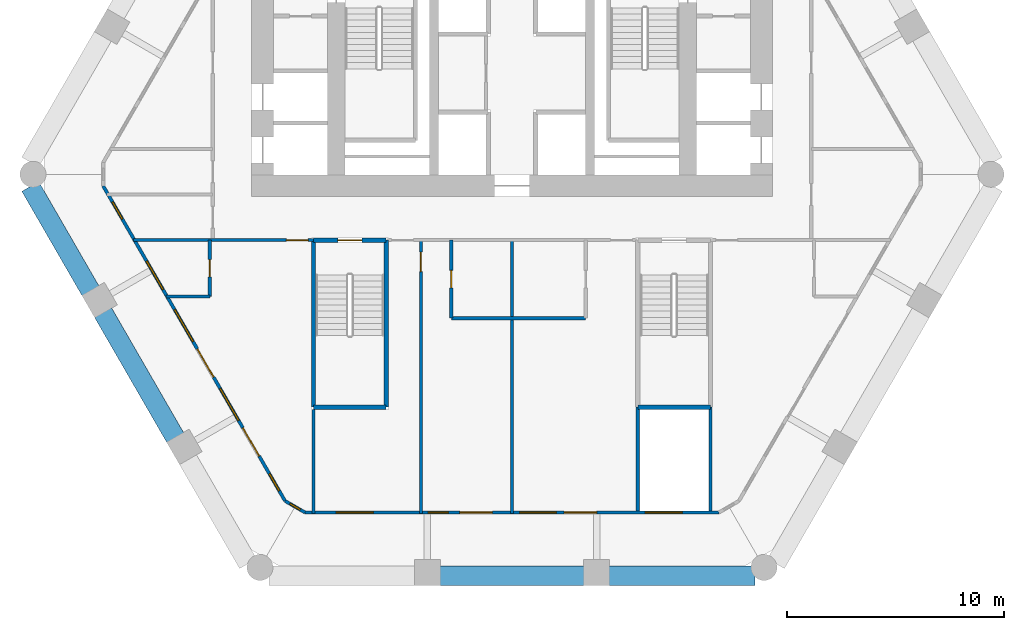
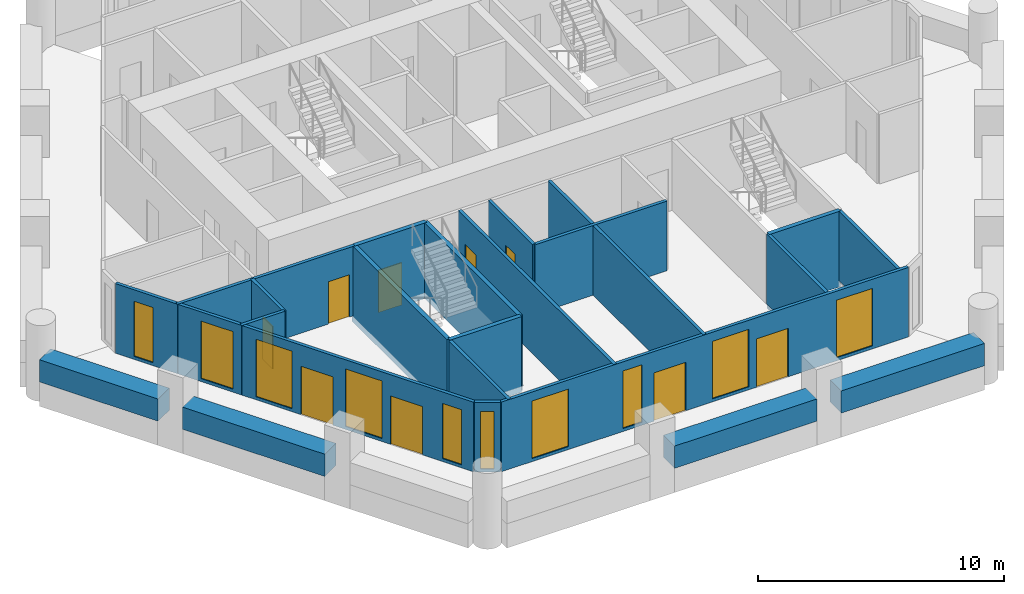
# One storey, part 2 of 7: 22 walls, 10 windows, 9 doors, 19 openings.
"""IFC4 building model written with IfcOpenShell, lengths in metres."""

from ifc_helpers import new_model, si_unit, direction, frame, frame_2d, origin, place, context, subcontext, project, spatial, rectangle, extrude, material, layer, layer_set, type_object, element, fill, save


model = new_model("IFC4")

# Units and contexts
model_context = context("Model", 3, precision=1e-05, world=origin(), true_north=direction((0.0, 1.0)))
body_context = subcontext(model_context, "Body", "Model", "MODEL_VIEW")
ifc_project = project(units=[si_unit("LENGTHUNIT", "METRE"), si_unit("AREAUNIT", "SQUARE_METRE"), si_unit("VOLUMEUNIT", "CUBIC_METRE"), si_unit("PLANEANGLEUNIT", "RADIAN"), si_unit("MASSUNIT", "GRAM", prefix="KILO")], contexts=[model_context])

# Site, building, storey
site_placement = place(None, origin())
site = spatial("IfcSite", under=ifc_project, at=site_placement, CompositionType="ELEMENT")
building_placement = place(site_placement, origin())
building = spatial("IfcBuilding", under=site, at=building_placement, Name="Ostrander Bayou Hotel Tower", CompositionType="ELEMENT")
storey_placement = place(building_placement, frame((0.0, 0.0, 119.75)))
storey = spatial("IfcBuildingStorey", under=building, at=storey_placement, Name="L29", CompositionType="ELEMENT", Elevation=119.75)

# Wall, openings, doors, windows
ifc_material_1 = material(Name="Aluminium framed insulated wall", Category="aluminium")
ifc_layer_1 = layer(ifc_material_1, 0.14990234375)
ifc_layer_set_1 = layer_set([ifc_layer_1], Name="GW1 glass-line wall 150 mm")
wall_type_1 = type_object("IfcWallType", Name="GW1 glass-line wall 150 mm", PredefinedType="SOLIDWALL", material=ifc_layer_set_1)
wall_1_placement = place(storey_placement, frame((-18.8515625, -1.197998046875, 0.0), z_axis=(0.0, 0.0, 1.0), x_axis=(0.499992448691, -0.866029763491, 0.0)))
wall_1 = element("IfcWall", 1, at=wall_1_placement, inside=storey, type_object=wall_type_1, Name="GW1 L29 SW 1", PredefinedType="SOLIDWALL", context=body_context, shape_type="SweptSolid", body=[
    extrude(rectangle(XDim=16.776611328125, YDim=0.14990234375, at=frame_2d((8.38818359375, 0.0))), origin(), (0.0, 0.0, 1.0), 3.449951171875),
])
opening_1_placement = place(wall_1_placement, frame((4.015380859375, 0.0, 0.14990234375)))
opening_1 = element("IfcOpeningElement", 2, at=opening_1_placement, cuts=wall_1, Name="Opening W12", PredefinedType="OPENING", context=body_context, shape_type="SweptSolid", body=[
    extrude(rectangle(XDim=1.5, YDim=2.85009765625, at=frame_2d((0.75, 1.425048828125))), frame((0.0, 0.074951171875, 0.0), z_axis=(0.0, -1.0, 0.0), x_axis=(1.0, 0.0, 0.0)), (0.0, 0.0, 1.0), 0.14990234375),
])
opening_2_placement = place(wall_1_placement, frame((6.58837890625, 0.0, 0.14990234375)))
opening_2 = element("IfcOpeningElement", 3, at=opening_2_placement, cuts=wall_1, Name="Opening W2", PredefinedType="OPENING", context=body_context, shape_type="SweptSolid", body=[
    extrude(rectangle(XDim=1.699951171875, YDim=2.85009765625, at=frame_2d((0.85009765625, 1.425048828125))), frame((0.0, 0.074951171875, 0.0), z_axis=(0.0, -1.0, 0.0), x_axis=(1.0, 0.0, 0.0)), (0.0, 0.0, 1.0), 0.14990234375),
])
opening_3_placement = place(wall_1_placement, frame((8.688232421875, 0.0, 0.0)))
opening_3 = element("IfcOpeningElement", 4, at=opening_3_placement, cuts=wall_1, Name="Opening T28-800", PredefinedType="OPENING", context=body_context, shape_type="SweptSolid", body=[
    extrude(rectangle(XDim=1.5, YDim=2.39990234375, at=frame_2d((0.75, 1.199951171875))), frame((0.0, 0.074951171875, 0.0), z_axis=(0.0, -1.0, 0.0), x_axis=(1.0, 0.0, 0.0)), (0.0, 0.0, 1.0), 0.14990234375),
])
opening_4_placement = place(wall_1_placement, frame((10.788330078125, 0.0, 0.14990234375)))
opening_4 = element("IfcOpeningElement", 5, at=opening_4_placement, cuts=wall_1, Name="Opening W2", PredefinedType="OPENING", context=body_context, shape_type="SweptSolid", body=[
    extrude(rectangle(XDim=1.699951171875, YDim=2.85009765625, at=frame_2d((0.85009765625, 1.425048828125))), frame((0.0, 0.074951171875, 0.0), z_axis=(0.0, -1.0, 0.0), x_axis=(1.0, 0.0, 0.0)), (0.0, 0.0, 1.0), 0.14990234375),
])
opening_5_placement = place(wall_1_placement, frame((12.88818359375, 0.0, 0.0)))
opening_5 = element("IfcOpeningElement", 6, at=opening_5_placement, cuts=wall_1, Name="Opening T28-801", PredefinedType="OPENING", context=body_context, shape_type="SweptSolid", body=[
    extrude(rectangle(XDim=1.5, YDim=2.39990234375, at=frame_2d((0.75, 1.199951171875))), frame((0.0, 0.074951171875, 0.0), z_axis=(0.0, -1.0, 0.0), x_axis=(1.0, 0.0, 0.0)), (0.0, 0.0, 1.0), 0.14990234375),
])
opening_6_placement = place(wall_1_placement, frame((0.863037109375, 0.0, 0.14990234375)))
opening_6 = element("IfcOpeningElement", 7, at=opening_6_placement, cuts=wall_1, Name="Opening W16", PredefinedType="OPENING", context=body_context, shape_type="SweptSolid", body=[
    extrude(rectangle(XDim=0.89990234375, YDim=2.72998046875, at=frame_2d((0.449951171875, 1.364990234375))), frame((0.0, 0.074951171875, 0.0), z_axis=(0.0, -1.0, 0.0), x_axis=(1.0, 0.0, 0.0)), (0.0, 0.0, 1.0), 0.14990234375),
])
opening_7_placement = place(wall_1_placement, frame((15.33251953125, 0.0, 0.14990234375)))
opening_7 = element("IfcOpeningElement", 8, at=opening_7_placement, cuts=wall_1, Name="Opening W16", PredefinedType="OPENING", context=body_context, shape_type="SweptSolid", body=[
    extrude(rectangle(XDim=0.89990234375, YDim=2.72998046875, at=frame_2d((0.449951171875, 1.364990234375))), frame((0.0, 0.074951171875, 0.0), z_axis=(0.0, -1.0, 0.0), x_axis=(1.0, 0.0, 0.0)), (0.0, 0.0, 1.0), 0.14990234375),
])
ifc_material_2 = material(Name="Aluminium and clear glass", Category="aluminium")
door_type_1 = type_object("IfcDoorType", Name="SD2 sliding glass door 1500 mm, zone 2", OperationType="SLIDING_TO_LEFT", PredefinedType="DOOR", material=ifc_material_2)
door_1_placement = place(opening_3_placement, origin())
door_1 = element("IfcDoor", 9, at=door_1_placement, inside=storey, type_object=door_type_1, Name="SD2 L29 SW 2", OperationType="SLIDING_TO_RIGHT", OverallHeight=2.39990234375, OverallWidth=1.5, PredefinedType="DOOR", context=body_context, shape_type="SweptSolid", body=[
    extrude(rectangle(XDim=1.5, YDim=2.39990234375, at=frame_2d((0.75, 1.199951171875))), frame((0.0, 0.02490234375, 0.0), z_axis=(0.0, -1.0, 0.0), x_axis=(1.0, 0.0, 0.0)), (0.0, 0.0, 1.0), 0.050048828125),
])
fill(opening_3, door_1)
door_2_placement = place(opening_5_placement, origin())
door_2 = element("IfcDoor", 10, at=door_2_placement, inside=storey, type_object=door_type_1, Name="SD2 L29 SW 3", OperationType="SLIDING_TO_LEFT", OverallHeight=2.39990234375, OverallWidth=1.5, PredefinedType="DOOR", context=body_context, shape_type="SweptSolid", body=[
    extrude(rectangle(XDim=1.5, YDim=2.39990234375, at=frame_2d((0.75, 1.199951171875))), frame((0.0, 0.02490234375, 0.0), z_axis=(0.0, -1.0, 0.0), x_axis=(1.0, 0.0, 0.0)), (0.0, 0.0, 1.0), 0.050048828125),
])
fill(opening_5, door_2)
ifc_material_3 = material(Name="Aluminium and clear glass", Category="aluminium")
window_type_1 = type_object("IfcWindowType", Name="W12 fixed window 1500 mm, bath bay, zone 2", PartitioningType="SINGLE_PANEL", PredefinedType="WINDOW", material=ifc_material_3)
window_1_placement = place(opening_1_placement, origin())
window_1 = element("IfcWindow", 11, at=window_1_placement, inside=storey, type_object=window_type_1, Name="W12 L29 SW 1", OverallHeight=2.85009765625, OverallWidth=1.5, PartitioningType="SINGLE_PANEL", PredefinedType="WINDOW", context=body_context, shape_type="SweptSolid", body=[
    extrude(rectangle(XDim=1.5, YDim=2.85009765625, at=frame_2d((0.75, 1.425048828125))), frame((0.0, 0.030029296875, 0.0), z_axis=(0.0, -1.0, 0.0), x_axis=(1.0, 0.0, 0.0)), (0.0, 0.0, 1.0), 0.06005859375),
])
fill(opening_1, window_1)
ifc_material_4 = material(Name="Aluminium and clear glass", Category="aluminium")
window_type_2 = type_object("IfcWindowType", Name="W16 window 900 mm, zone 2", PartitioningType="SINGLE_PANEL", PredefinedType="WINDOW", material=ifc_material_4)
window_2_placement = place(opening_6_placement, origin())
window_2 = element("IfcWindow", 12, at=window_2_placement, inside=storey, type_object=window_type_2, Name="W16 L29 SW E11", OverallHeight=2.72998046875, OverallWidth=0.89990234375, PartitioningType="SINGLE_PANEL", PredefinedType="WINDOW", context=body_context, shape_type="SweptSolid", body=[
    extrude(rectangle(XDim=0.89990234375, YDim=2.72998046875, at=frame_2d((0.449951171875, 1.364990234375))), frame((0.0, 0.030029296875, 0.0), z_axis=(0.0, -1.0, 0.0), x_axis=(1.0, 0.0, 0.0)), (0.0, 0.0, 1.0), 0.06005859375),
])
fill(opening_6, window_2)
window_3_placement = place(opening_7_placement, origin())
window_3 = element("IfcWindow", 13, at=window_3_placement, inside=storey, type_object=window_type_2, Name="W16 L29 SW E21", OverallHeight=2.72998046875, OverallWidth=0.89990234375, PartitioningType="SINGLE_PANEL", PredefinedType="WINDOW", context=body_context, shape_type="SweptSolid", body=[
    extrude(rectangle(XDim=0.89990234375, YDim=2.72998046875, at=frame_2d((0.449951171875, 1.364990234375))), frame((0.0, 0.030029296875, 0.0), z_axis=(0.0, -1.0, 0.0), x_axis=(1.0, 0.0, 0.0)), (0.0, 0.0, 1.0), 0.06005859375),
])
fill(opening_7, window_3)
ifc_material_5 = material(Name="Aluminium and clear glass", Category="aluminium")
window_type_3 = type_object("IfcWindowType", Name="W2 fixed window 1700 mm, zone 2", PartitioningType="SINGLE_PANEL", PredefinedType="WINDOW", material=ifc_material_5)
window_4_placement = place(opening_2_placement, origin())
window_4 = element("IfcWindow", 14, at=window_4_placement, inside=storey, type_object=window_type_3, Name="W2 L29 SW 2", OverallHeight=2.85009765625, OverallWidth=1.699951171875, PartitioningType="SINGLE_PANEL", PredefinedType="WINDOW", context=body_context, shape_type="SweptSolid", body=[
    extrude(rectangle(XDim=1.699951171875, YDim=2.85009765625, at=frame_2d((0.85009765625, 1.425048828125))), frame((0.0, 0.030029296875, 0.0), z_axis=(0.0, -1.0, 0.0), x_axis=(1.0, 0.0, 0.0)), (0.0, 0.0, 1.0), 0.06005859375),
])
fill(opening_2, window_4)
window_5_placement = place(opening_4_placement, origin())
window_5 = element("IfcWindow", 15, at=window_5_placement, inside=storey, type_object=window_type_3, Name="W2 L29 SW 3", OverallHeight=2.85009765625, OverallWidth=1.699951171875, PartitioningType="SINGLE_PANEL", PredefinedType="WINDOW", context=body_context, shape_type="SweptSolid", body=[
    extrude(rectangle(XDim=1.699951171875, YDim=2.85009765625, at=frame_2d((0.85009765625, 1.425048828125))), frame((0.0, 0.030029296875, 0.0), z_axis=(0.0, -1.0, 0.0), x_axis=(1.0, 0.0, 0.0)), (0.0, 0.0, 1.0), 0.06005859375),
])
fill(opening_4, window_5)

wall_2_placement = place(storey_placement, frame((-9.541015625, -16.259521484375, 0.0), z_axis=(0.0, 0.0, 1.0), x_axis=(1.0, 0.0, 0.0)))
wall_2 = element("IfcWall", 16, at=wall_2_placement, inside=storey, type_object=wall_type_1, Name="GW1 L29 S 1", PredefinedType="SOLIDWALL", context=body_context, shape_type="SweptSolid", body=[
    extrude(rectangle(XDim=19.08203125, YDim=0.14990234375, at=frame_2d((9.541015625, 0.0))), origin(), (0.0, 0.0, 1.0), 3.449951171875),
])
opening_8_placement = place(wall_2_placement, frame((1.44091796875, 0.0, 0.14990234375)))
opening_8 = element("IfcOpeningElement", 17, at=opening_8_placement, cuts=wall_2, Name="Opening W2", PredefinedType="OPENING", context=body_context, shape_type="SweptSolid", body=[
    extrude(rectangle(XDim=1.699951171875, YDim=2.85009765625, at=frame_2d((0.85009765625, 1.425048828125))), frame((0.0, 0.074951171875, 0.0), z_axis=(0.0, -1.0, 0.0), x_axis=(1.0, 0.0, 0.0)), (0.0, 0.0, 1.0), 0.14990234375),
])
opening_9_placement = place(wall_2_placement, frame((5.69091796875, 0.0, 0.14990234375)))
opening_9 = element("IfcOpeningElement", 18, at=opening_9_placement, cuts=wall_2, Name="Opening W16", PredefinedType="OPENING", context=body_context, shape_type="SweptSolid", body=[
    extrude(rectangle(XDim=0.89990234375, YDim=2.85009765625, at=frame_2d((0.449951171875, 1.425048828125))), frame((0.0, 0.074951171875, 0.0), z_axis=(0.0, -1.0, 0.0), x_axis=(1.0, 0.0, 0.0)), (0.0, 0.0, 1.0), 0.14990234375),
])
opening_10_placement = place(wall_2_placement, frame((7.14111328125, 0.0, 0.0)))
opening_10 = element("IfcOpeningElement", 19, at=opening_10_placement, cuts=wall_2, Name="Opening T28-802", PredefinedType="OPENING", context=body_context, shape_type="SweptSolid", body=[
    extrude(rectangle(XDim=1.5, YDim=2.39990234375, at=frame_2d((0.75, 1.199951171875))), frame((0.0, 0.074951171875, 0.0), z_axis=(0.0, -1.0, 0.0), x_axis=(1.0, 0.0, 0.0)), (0.0, 0.0, 1.0), 0.14990234375),
])
opening_11_placement = place(wall_2_placement, frame((9.89111328125, 0.0, 0.14990234375)))
opening_11 = element("IfcOpeningElement", 20, at=opening_11_placement, cuts=wall_2, Name="Opening W2", PredefinedType="OPENING", context=body_context, shape_type="SweptSolid", body=[
    extrude(rectangle(XDim=1.699951171875, YDim=2.85009765625, at=frame_2d((0.85009765625, 1.425048828125))), frame((0.0, 0.074951171875, 0.0), z_axis=(0.0, -1.0, 0.0), x_axis=(1.0, 0.0, 0.0)), (0.0, 0.0, 1.0), 0.14990234375),
])
opening_12_placement = place(wall_2_placement, frame((11.94091796875, 0.0, 0.0)))
opening_12 = element("IfcOpeningElement", 21, at=opening_12_placement, cuts=wall_2, Name="Opening T28-803", PredefinedType="OPENING", context=body_context, shape_type="SweptSolid", body=[
    extrude(rectangle(XDim=1.5, YDim=2.39990234375, at=frame_2d((0.75, 1.199951171875))), frame((0.0, 0.074951171875, 0.0), z_axis=(0.0, -1.0, 0.0), x_axis=(1.0, 0.0, 0.0)), (0.0, 0.0, 1.0), 0.14990234375),
])
opening_13_placement = place(wall_2_placement, frame((15.69091796875, 0.0, 0.14990234375)))
opening_13 = element("IfcOpeningElement", 22, at=opening_13_placement, cuts=wall_2, Name="Opening W2", PredefinedType="OPENING", context=body_context, shape_type="SweptSolid", body=[
    extrude(rectangle(XDim=1.699951171875, YDim=2.85009765625, at=frame_2d((0.85009765625, 1.425048828125))), frame((0.0, 0.074951171875, 0.0), z_axis=(0.0, -1.0, 0.0), x_axis=(1.0, 0.0, 0.0)), (0.0, 0.0, 1.0), 0.14990234375),
])
door_3_placement = place(opening_10_placement, origin())
door_3 = element("IfcDoor", 23, at=door_3_placement, inside=storey, type_object=door_type_1, Name="SD2 L29 S 2", OperationType="SLIDING_TO_RIGHT", OverallHeight=2.39990234375, OverallWidth=1.5, PredefinedType="DOOR", context=body_context, shape_type="SweptSolid", body=[
    extrude(rectangle(XDim=1.5, YDim=2.39990234375, at=frame_2d((0.75, 1.199951171875))), frame((0.0, 0.02490234375, 0.0), z_axis=(0.0, -1.0, 0.0), x_axis=(1.0, 0.0, 0.0)), (0.0, 0.0, 1.0), 0.050048828125),
])
fill(opening_10, door_3)
door_4_placement = place(opening_12_placement, origin())
door_4 = element("IfcDoor", 24, at=door_4_placement, inside=storey, type_object=door_type_1, Name="SD2 L29 S 3", OperationType="SLIDING_TO_LEFT", OverallHeight=2.39990234375, OverallWidth=1.5, PredefinedType="DOOR", context=body_context, shape_type="SweptSolid", body=[
    extrude(rectangle(XDim=1.5, YDim=2.39990234375, at=frame_2d((0.75, 1.199951171875))), frame((0.0, 0.02490234375, 0.0), z_axis=(0.0, -1.0, 0.0), x_axis=(1.0, 0.0, 0.0)), (0.0, 0.0, 1.0), 0.050048828125),
])
fill(opening_12, door_4)
window_6_placement = place(opening_9_placement, origin())
window_6 = element("IfcWindow", 25, at=window_6_placement, inside=storey, type_object=window_type_2, Name="W16 L29 S 2", OverallHeight=2.85009765625, OverallWidth=0.89990234375, PartitioningType="SINGLE_PANEL", PredefinedType="WINDOW", context=body_context, shape_type="SweptSolid", body=[
    extrude(rectangle(XDim=0.89990234375, YDim=2.85009765625, at=frame_2d((0.449951171875, 1.425048828125))), frame((0.0, 0.030029296875, 0.0), z_axis=(0.0, -1.0, 0.0), x_axis=(1.0, 0.0, 0.0)), (0.0, 0.0, 1.0), 0.06005859375),
])
fill(opening_9, window_6)
window_7_placement = place(opening_8_placement, origin())
window_7 = element("IfcWindow", 26, at=window_7_placement, inside=storey, type_object=window_type_3, Name="W2 L29 S 1", OverallHeight=2.85009765625, OverallWidth=1.699951171875, PartitioningType="SINGLE_PANEL", PredefinedType="WINDOW", context=body_context, shape_type="SweptSolid", body=[
    extrude(rectangle(XDim=1.699951171875, YDim=2.85009765625, at=frame_2d((0.85009765625, 1.425048828125))), frame((0.0, 0.030029296875, 0.0), z_axis=(0.0, -1.0, 0.0), x_axis=(1.0, 0.0, 0.0)), (0.0, 0.0, 1.0), 0.06005859375),
])
fill(opening_8, window_7)
window_8_placement = place(opening_11_placement, origin())
window_8 = element("IfcWindow", 27, at=window_8_placement, inside=storey, type_object=window_type_3, Name="W2 L29 S 3", OverallHeight=2.85009765625, OverallWidth=1.699951171875, PartitioningType="SINGLE_PANEL", PredefinedType="WINDOW", context=body_context, shape_type="SweptSolid", body=[
    extrude(rectangle(XDim=1.699951171875, YDim=2.85009765625, at=frame_2d((0.85009765625, 1.425048828125))), frame((0.0, 0.030029296875, 0.0), z_axis=(0.0, -1.0, 0.0), x_axis=(1.0, 0.0, 0.0)), (0.0, 0.0, 1.0), 0.06005859375),
])
fill(opening_11, window_8)
window_9_placement = place(opening_13_placement, origin())
window_9 = element("IfcWindow", 28, at=window_9_placement, inside=storey, type_object=window_type_3, Name="W2 L29 S 4", OverallHeight=2.85009765625, OverallWidth=1.699951171875, PartitioningType="SINGLE_PANEL", PredefinedType="WINDOW", context=body_context, shape_type="SweptSolid", body=[
    extrude(rectangle(XDim=1.699951171875, YDim=2.85009765625, at=frame_2d((0.85009765625, 1.425048828125))), frame((0.0, 0.030029296875, 0.0), z_axis=(0.0, -1.0, 0.0), x_axis=(1.0, 0.0, 0.0)), (0.0, 0.0, 1.0), 0.06005859375),
])
fill(opening_13, window_9)

# Wall, opening, window
wall_3_placement = place(storey_placement, frame((-10.46337890625, -15.72705078125, 0.0), z_axis=(0.0, 0.0, 1.0), x_axis=(0.866048165231, -0.499960573946, 0.0)))
wall_3 = element("IfcWall", 29, at=wall_3_placement, inside=storey, type_object=wall_type_1, Name="GW1 L29 corner 3", PredefinedType="SOLIDWALL", context=body_context, shape_type="SweptSolid", body=[
    extrude(rectangle(XDim=1.06494140625, YDim=0.14990234375, at=frame_2d((0.532470703125, 0.0))), origin(), (0.0, 0.0, 1.0), 3.449951171875),
])
opening_14_placement = place(wall_3_placement, frame((0.257568359375, 0.0, 0.14990234375)))
opening_14 = element("IfcOpeningElement", 30, at=opening_14_placement, cuts=wall_3, Name="Opening W19", PredefinedType="OPENING", context=body_context, shape_type="SweptSolid", body=[
    extrude(rectangle(XDim=0.550048828125, YDim=2.85009765625, at=frame_2d((0.27490234375, 1.425048828125))), frame((0.0, 0.074951171875, 0.0), z_axis=(0.0, -1.0, 0.0), x_axis=(1.0, 0.0, 0.0)), (0.0, 0.0, 1.0), 0.14990234375),
])
ifc_material_6 = material(Name="Aluminium and clear glass", Category="aluminium")
window_type_4 = type_object("IfcWindowType", Name="W19 corner window 550 mm", PartitioningType="SINGLE_PANEL", PredefinedType="WINDOW", material=ifc_material_6)
window_10_placement = place(opening_14_placement, origin())
window_10 = element("IfcWindow", 31, at=window_10_placement, inside=storey, type_object=window_type_4, Name="W19 L29 corner 3", OverallHeight=2.85009765625, OverallWidth=0.550048828125, PartitioningType="SINGLE_PANEL", PredefinedType="WINDOW", context=body_context, shape_type="SweptSolid", body=[
    extrude(rectangle(XDim=0.550048828125, YDim=2.85009765625, at=frame_2d((0.27490234375, 1.425048828125))), frame((0.0, 0.030029296875, 0.0), z_axis=(0.0, -1.0, 0.0), x_axis=(1.0, 0.0, 0.0)), (0.0, 0.0, 1.0), 0.06005859375),
])
fill(opening_14, window_10)

# Walls
ifc_material_7 = material(Name="Concrete f'c 40 MPa", Category="concrete")
ifc_layer_2 = layer(ifc_material_7, 0.89990234375)
ifc_layer_set_2 = layer_set([ifc_layer_2], Name="PA1 stone-faced parapet 900 mm")
wall_type_2 = type_object("IfcWallType", Name="PA1 stone-faced parapet 900 mm", PredefinedType="PARAPET", material=ifc_layer_set_2)
wall_4_placement = place(storey_placement, frame((-3.336669921875, -19.1845703125, 0.0), z_axis=(0.0, 0.0, 1.0), x_axis=(1.0, 0.0, 0.0)))
element("IfcWall", 32, at=wall_4_placement, inside=storey, type_object=wall_type_2, Name="PA1 L29 S-2", PredefinedType="PARAPET", context=body_context, shape_type="SweptSolid", body=[
    extrude(rectangle(XDim=6.67333984375, YDim=0.89990234375, at=frame_2d((3.336669921875, 0.0))), origin(), (0.0, 0.0, 1.0), 1.10009765625),
])
wall_5_placement = place(storey_placement, frame((4.476806640625, -19.1845703125, 0.0), z_axis=(0.0, 0.0, 1.0), x_axis=(1.0, 0.0, 0.0)))
element("IfcWall", 33, at=wall_5_placement, inside=storey, type_object=wall_type_2, Name="PA1 L29 S-3", PredefinedType="PARAPET", context=body_context, shape_type="SweptSolid", body=[
    extrude(rectangle(XDim=6.717041015625, YDim=0.89990234375, at=frame_2d((3.3583984375, 0.0))), origin(), (0.0, 0.0, 1.0), 1.10009765625),
])
ifc_material_8 = material(Name="Limestone masonry", Category="masonry")
ifc_layer_3 = layer(ifc_material_8, 0.89990234375)
ifc_layer_set_3 = layer_set([ifc_layer_3], Name="PA2 limestone parapet 900 mm")
wall_type_3 = type_object("IfcWallType", Name="PA2 limestone parapet 900 mm", PredefinedType="PARAPET", material=ifc_layer_set_3)
wall_6_placement = place(storey_placement, frame((-22.211181640625, -1.22900390625, 0.0), z_axis=(0.0, 0.0, 1.0), x_axis=(0.49998957009, -0.866031425412, 0.0)))
element("IfcWall", 34, at=wall_6_placement, inside=storey, type_object=wall_type_3, Name="PA2 L29 SW-1", PredefinedType="PARAPET", context=body_context, shape_type="SweptSolid", body=[
    extrude(rectangle(XDim=5.564453125, YDim=0.89990234375, at=frame_2d((2.7822265625, 0.0))), origin(), (0.0, 0.0, 1.0), 1.10009765625),
])
wall_7_placement = place(storey_placement, frame((-18.85888671875, -7.035400390625, 0.0), z_axis=(0.0, 0.0, 1.0), x_axis=(0.499999023957, -0.866025967302, 0.0)))
element("IfcWall", 35, at=wall_7_placement, inside=storey, type_object=wall_type_3, Name="PA2 L29 SW-2", PredefinedType="PARAPET", context=body_context, shape_type="SweptSolid", body=[
    extrude(rectangle(XDim=6.67333984375, YDim=0.89990234375, at=frame_2d((3.336669921875, 0.0))), origin(), (0.0, 0.0, 1.0), 1.10009765625),
])
ifc_material_9 = material(Name="Gypsum board partition", Category="finish")
ifc_layer_4 = layer(ifc_material_9, 0.14990234375)
ifc_layer_set_4 = layer_set([ifc_layer_4], Name="PT7 riser wall 150 mm, 2 hour")
wall_type_4 = type_object("IfcWallType", Name="PT7 riser wall 150 mm, 2 hour", PredefinedType="PARTITIONING", material=ifc_layer_set_4)
for number, where, z_axis, x_axis, name in (
    (36, (5.800048828125, -11.39990234375, 0.0), (0.0, 0.0, 1.0), (0.0, -1.0, 0.0), "cs:L29:019"),
    (37, (9.14990234375, -11.39990234375, 0.0), (0.0, 0.0, 1.0), (0.0, -1.0, 0.0), "cs:L29:020"),
):
    element("IfcWall", number, at=place(storey_placement, frame(where, z_axis=z_axis, x_axis=x_axis)), inside=storey, type_object=wall_type_4, Name=name, PredefinedType="PARTITIONING", context=body_context, shape_type="SweptSolid", body=[
        extrude(rectangle(XDim=4.78466796875, YDim=0.14990234375, at=frame_2d((2.392333984375, 0.0))), origin(), (0.0, 0.0, 1.0), 3.449951171875),
    ])
ifc_material_10 = material(Name="Gypsum board partition", Category="finish")
ifc_layer_5 = layer(ifc_material_10, 0.14990234375)
ifc_layer_set_5 = layer_set([ifc_layer_5], Name="PT8 service band wall 150 mm, 1 hour")
wall_type_5 = type_object("IfcWallType", Name="PT8 service band wall 150 mm, 1 hour", PredefinedType="PARTITIONING", material=ifc_layer_set_5)
wall_8_placement = place(storey_placement, frame((-2.800048828125, -7.300048828125, 0.0), z_axis=(0.0, 0.0, 1.0), x_axis=(1.0, 0.0, 0.0)))
element("IfcWall", 38, at=wall_8_placement, inside=storey, type_object=wall_type_5, Name="gw:L29:001", PredefinedType="PARTITIONING", context=body_context, shape_type="SweptSolid", body=[
    extrude(rectangle(XDim=6.199951171875, YDim=0.14990234375, at=frame_2d((3.10009765625, 0.0))), origin(), (0.0, 0.0, 1.0), 3.449951171875),
])
wall_9_placement = place(storey_placement, frame((-15.9580078125, -6.300048828125, 0.0), z_axis=(0.0, 0.0, 1.0), x_axis=(1.0, 0.0, 0.0)))
element("IfcWall", 39, at=wall_9_placement, inside=storey, type_object=wall_type_5, Name="gw:L29:002", PredefinedType="PARTITIONING", context=body_context, shape_type="SweptSolid", body=[
    extrude(rectangle(XDim=2.028076171875, YDim=0.14990234375, at=frame_2d((1.01416015625, 0.0))), origin(), (0.0, 0.0, 1.0), 3.449951171875),
])

# Wall, opening, door
wall_10_placement = place(storey_placement, frame((-17.458984375, -3.699951171875, 0.0), z_axis=(0.0, 0.0, 1.0), x_axis=(1.0, 0.0, 0.0)))
wall_10 = element("IfcWall", 40, at=wall_10_placement, inside=storey, type_object=wall_type_5, Name="gw:L29:004", PredefinedType="PARTITIONING", context=body_context, shape_type="SweptSolid", body=[
    extrude(rectangle(XDim=8.299072265625, YDim=0.14990234375, at=frame_2d((4.1494140625, 0.0))), origin(), (0.0, 0.0, 1.0), 3.449951171875),
])
opening_15_placement = place(wall_10_placement, frame((7.05908203125, 0.0, 0.0)))
opening_15 = element("IfcOpeningElement", 41, at=opening_15_placement, cuts=wall_10, Name="Opening T28-403", PredefinedType="OPENING", context=body_context, shape_type="SweptSolid", body=[
    extrude(rectangle(XDim=1.0, YDim=2.10009765625, at=frame_2d((0.5, 1.050048828125))), frame((0.0, 0.074951171875, 0.0), z_axis=(0.0, -1.0, 0.0), x_axis=(1.0, 0.0, 0.0)), (0.0, 0.0, 1.0), 0.14990234375),
])
ifc_material_11 = material(Name="Timber door leaf", Category="wood")
door_type_2 = type_object("IfcDoorType", Name="D1 guest room door 1000 x 2100 mm, 30 minute", OperationType="SINGLE_SWING_LEFT", PredefinedType="DOOR", material=ifc_material_11)
door_5_placement = place(opening_15_placement, origin())
door_5 = element("IfcDoor", 42, at=door_5_placement, inside=storey, type_object=door_type_2, Name="dr:L29:403", OperationType="SINGLE_SWING_RIGHT", OverallHeight=2.10009765625, OverallWidth=1.0, PredefinedType="DOOR", context=body_context, shape_type="SweptSolid", body=[
    extrude(rectangle(XDim=1.0, YDim=2.10009765625, at=frame_2d((0.5, 1.050048828125))), frame((0.0, 0.02490234375, 0.0), z_axis=(0.0, -1.0, 0.0), x_axis=(1.0, 0.0, 0.0)), (0.0, 0.0, 1.0), 0.050048828125),
])
fill(opening_15, door_5)

# Wall
wall_11_placement = place(storey_placement, frame((0.0, -16.303955078125, 0.0), z_axis=(0.0, 0.0, 1.0), x_axis=(0.0, 1.0, 0.0)))
element("IfcWall", 43, at=wall_11_placement, inside=storey, type_object=wall_type_5, Name="gw:L29:023", PredefinedType="PARTITIONING", context=body_context, shape_type="SweptSolid", body=[
    extrude(rectangle(XDim=12.60400390625, YDim=0.14990234375, at=frame_2d((6.302001953125, 0.0))), origin(), (0.0, 0.0, 1.0), 3.449951171875),
])

# Wall, opening, door
wall_12_placement = place(storey_placement, frame((-2.800048828125, -7.300048828125, 0.0), z_axis=(0.0, 0.0, 1.0), x_axis=(0.0, 1.0, 0.0)))
wall_12 = element("IfcWall", 44, at=wall_12_placement, inside=storey, type_object=wall_type_5, Name="gw:L29:024", PredefinedType="PARTITIONING", context=body_context, shape_type="SweptSolid", body=[
    extrude(rectangle(XDim=3.60009765625, YDim=0.14990234375, at=frame_2d((1.800048828125, 0.0))), origin(), (0.0, 0.0, 1.0), 3.449951171875),
])
opening_16_placement = place(wall_12_placement, frame((1.39990234375, 0.0, 0.0)))
opening_16 = element("IfcOpeningElement", 45, at=opening_16_placement, cuts=wall_12, Name="Opening T28-402", PredefinedType="OPENING", context=body_context, shape_type="SweptSolid", body=[
    extrude(rectangle(XDim=0.800048828125, YDim=2.10009765625, at=frame_2d((0.39990234375, 1.050048828125))), frame((0.0, 0.074951171875, 0.0), z_axis=(0.0, -1.0, 0.0), x_axis=(1.0, 0.0, 0.0)), (0.0, 0.0, 1.0), 0.14990234375),
])
ifc_material_12 = material(Name="Timber door leaf", Category="wood")
door_type_3 = type_object("IfcDoorType", Name="D2 bathroom door 800 x 2100 mm", OperationType="SINGLE_SWING_LEFT", PredefinedType="DOOR", material=ifc_material_12)
door_6_placement = place(opening_16_placement, origin())
door_6 = element("IfcDoor", 46, at=door_6_placement, inside=storey, type_object=door_type_3, Name="dr:L29:402", OperationType="SINGLE_SWING_RIGHT", OverallHeight=2.10009765625, OverallWidth=0.800048828125, PredefinedType="DOOR", context=body_context, shape_type="SweptSolid", body=[
    extrude(rectangle(XDim=0.800048828125, YDim=2.10009765625, at=frame_2d((0.39990234375, 1.050048828125))), frame((0.0, 0.02490234375, 0.0), z_axis=(0.0, -1.0, 0.0), x_axis=(1.0, 0.0, 0.0)), (0.0, 0.0, 1.0), 0.050048828125),
])
fill(opening_16, door_6)

wall_13_placement = place(storey_placement, frame((-4.199951171875, -16.303955078125, 0.0), z_axis=(0.0, 0.0, 1.0), x_axis=(0.0, 1.0, 0.0)))
wall_13 = element("IfcWall", 47, at=wall_13_placement, inside=storey, type_object=wall_type_5, Name="gw:L29:026", PredefinedType="PARTITIONING", context=body_context, shape_type="SweptSolid", body=[
    extrude(rectangle(XDim=12.60400390625, YDim=0.14990234375, at=frame_2d((6.302001953125, 0.0))), origin(), (0.0, 0.0, 1.0), 3.449951171875),
])
opening_17_placement = place(wall_13_placement, frame((11.154052734375, 0.0, 0.0)))
opening_17 = element("IfcOpeningElement", 48, at=opening_17_placement, cuts=wall_13, Name="Opening T28-401", PredefinedType="OPENING", context=body_context, shape_type="SweptSolid", body=[
    extrude(rectangle(XDim=0.89990234375, YDim=2.10009765625, at=frame_2d((0.449951171875, 1.050048828125))), frame((0.0, 0.074951171875, 0.0), z_axis=(0.0, -1.0, 0.0), x_axis=(1.0, 0.0, 0.0)), (0.0, 0.0, 1.0), 0.14990234375),
])
ifc_material_13 = material(Name="Timber door leaf", Category="wood")
door_type_4 = type_object("IfcDoorType", Name="D8 room door 900 x 2100 mm", OperationType="SINGLE_SWING_LEFT", PredefinedType="DOOR", material=ifc_material_13)
door_7_placement = place(opening_17_placement, origin())
door_7 = element("IfcDoor", 49, at=door_7_placement, inside=storey, type_object=door_type_4, Name="dr:L29:401", OperationType="SINGLE_SWING_RIGHT", OverallHeight=2.10009765625, OverallWidth=0.89990234375, PredefinedType="DOOR", context=body_context, shape_type="SweptSolid", body=[
    extrude(rectangle(XDim=0.89990234375, YDim=2.10009765625, at=frame_2d((0.449951171875, 1.050048828125))), frame((0.0, 0.02490234375, 0.0), z_axis=(0.0, -1.0, 0.0), x_axis=(1.0, 0.0, 0.0)), (0.0, 0.0, 1.0), 0.050048828125),
])
fill(opening_17, door_7)

# Wall
wall_14_placement = place(storey_placement, frame((-9.14990234375, -16.303955078125, 0.0), z_axis=(0.0, 0.0, 1.0), x_axis=(0.0, 1.0, 0.0)))
element("IfcWall", 50, at=wall_14_placement, inside=storey, type_object=wall_type_5, Name="gw:L29:028", PredefinedType="PARTITIONING", context=body_context, shape_type="SweptSolid", body=[
    extrude(rectangle(XDim=4.7939453125, YDim=0.14990234375, at=frame_2d((2.39697265625, 0.0))), origin(), (0.0, 0.0, 1.0), 3.449951171875),
])

# Wall, opening, door
wall_15_placement = place(storey_placement, frame((-13.929931640625, -6.300048828125, 0.0), z_axis=(0.0, 0.0, 1.0), x_axis=(0.0, 1.0, 0.0)))
wall_15 = element("IfcWall", 51, at=wall_15_placement, inside=storey, type_object=wall_type_5, Name="gw:L29:031", PredefinedType="PARTITIONING", context=body_context, shape_type="SweptSolid", body=[
    extrude(rectangle(XDim=2.60009765625, YDim=0.14990234375, at=frame_2d((1.300048828125, 0.0))), origin(), (0.0, 0.0, 1.0), 3.449951171875),
])
opening_18_placement = place(wall_15_placement, frame((0.89990234375, 0.0, 0.0)))
opening_18 = element("IfcOpeningElement", 52, at=opening_18_placement, cuts=wall_15, Name="Opening T28-404", PredefinedType="OPENING", context=body_context, shape_type="SweptSolid", body=[
    extrude(rectangle(XDim=0.800048828125, YDim=2.10009765625, at=frame_2d((0.39990234375, 1.050048828125))), frame((0.0, 0.074951171875, 0.0), z_axis=(0.0, -1.0, 0.0), x_axis=(1.0, 0.0, 0.0)), (0.0, 0.0, 1.0), 0.14990234375),
])
door_8_placement = place(opening_18_placement, origin())
door_8 = element("IfcDoor", 53, at=door_8_placement, inside=storey, type_object=door_type_3, Name="dr:L29:404", OperationType="SINGLE_SWING_RIGHT", OverallHeight=2.10009765625, OverallWidth=0.800048828125, PredefinedType="DOOR", context=body_context, shape_type="SweptSolid", body=[
    extrude(rectangle(XDim=0.800048828125, YDim=2.10009765625, at=frame_2d((0.39990234375, 1.050048828125))), frame((0.0, 0.02490234375, 0.0), z_axis=(0.0, -1.0, 0.0), x_axis=(1.0, 0.0, 0.0)), (0.0, 0.0, 1.0), 0.050048828125),
])
fill(opening_18, door_8)

# Wall
ifc_material_14 = material(Name="Concrete f'c 45 MPa", Category="concrete")
ifc_layer_6 = layer(ifc_material_14, 0.199951171875)
ifc_layer_set_6 = layer_set([ifc_layer_6], Name="SW5 stair enclosure wall 200 mm f'c 45 MPa")
wall_type_6 = type_object("IfcWallType", Name="SW5 stair enclosure wall 200 mm f'c 45 MPa", PredefinedType="SOLIDWALL", material=ifc_layer_set_6)
wall_16_placement = place(storey_placement, frame((5.800048828125, -11.39990234375, -0.300048828125), z_axis=(0.0, 0.0, 1.0), x_axis=(1.0, 0.0, 0.0)))
element("IfcWall", 54, at=wall_16_placement, inside=storey, type_object=wall_type_6, Name="cs:L29:018", PredefinedType="SOLIDWALL", context=body_context, shape_type="SweptSolid", body=[
    extrude(rectangle(XDim=3.349853515625, YDim=0.199951171875, at=frame_2d((1.6748046875, 0.0))), origin(), (0.0, 0.0, 1.0), 3.75),
])

# Wall, opening, door
wall_17_placement = place(storey_placement, frame((-9.14990234375, -3.699951171875, -0.300048828125), z_axis=(0.0, 0.0, 1.0), x_axis=(1.0, 0.0, 0.0)))
wall_17 = element("IfcWall", 55, at=wall_17_placement, inside=storey, type_object=wall_type_6, Name="cs:L29:021", PredefinedType="SOLIDWALL", context=body_context, shape_type="SweptSolid", body=[
    extrude(rectangle(XDim=3.349853515625, YDim=0.199951171875, at=frame_2d((1.6748046875, 0.0))), origin(), (0.0, 0.0, 1.0), 3.75),
])
opening_19_placement = place(wall_17_placement, frame((1.125, 0.0, 0.0)))
opening_19 = element("IfcOpeningElement", 56, at=opening_19_placement, cuts=wall_17, Name="Opening T28-008", PredefinedType="OPENING", context=body_context, shape_type="SweptSolid", body=[
    extrude(rectangle(XDim=1.10009765625, YDim=2.10009765625, at=frame_2d((0.550048828125, 1.050048828125))), frame((0.0, 0.10009765625, 0.0), z_axis=(0.0, -1.0, 0.0), x_axis=(1.0, 0.0, 0.0)), (0.0, 0.0, 1.0), 0.199951171875),
])
ifc_material_15 = material(Name="Timber door leaf", Category="wood")
door_type_5 = type_object("IfcDoorType", Name="D5 stair door 1100 x 2100 mm, 90 minute", OperationType="SINGLE_SWING_LEFT", PredefinedType="DOOR", material=ifc_material_15)
door_9_placement = place(opening_19_placement, origin())
door_9 = element("IfcDoor", 57, at=door_9_placement, inside=storey, type_object=door_type_5, Name="dr:L29:008", OperationType="SINGLE_SWING_LEFT", OverallHeight=2.10009765625, OverallWidth=1.10009765625, PredefinedType="DOOR", context=body_context, shape_type="SweptSolid", body=[
    extrude(rectangle(XDim=1.10009765625, YDim=2.10009765625, at=frame_2d((0.550048828125, 1.050048828125))), frame((0.0, 0.02490234375, 0.0), z_axis=(0.0, -1.0, 0.0), x_axis=(1.0, 0.0, 0.0)), (0.0, 0.0, 1.0), 0.050048828125),
])
fill(opening_19, door_9)

# Walls
for number, where, z_axis, x_axis, name in (
    (58, (-9.14990234375, -3.699951171875, -0.300048828125), (0.0, 0.0, 1.0), (0.0, -1.0, 0.0), "cs:L29:022"),
    (59, (-5.800048828125, -3.699951171875, -0.300048828125), (0.0, 0.0, 1.0), (0.0, -1.0, 0.0), "cs:L29:023"),
):
    element("IfcWall", number, at=place(storey_placement, frame(where, z_axis=z_axis, x_axis=x_axis)), inside=storey, type_object=wall_type_6, Name=name, PredefinedType="SOLIDWALL", context=body_context, shape_type="SweptSolid", body=[
        extrude(rectangle(XDim=7.699951171875, YDim=0.199951171875, at=frame_2d((3.85009765625, 0.0))), origin(), (0.0, 0.0, 1.0), 3.75),
    ])
wall_18_placement = place(storey_placement, frame((-9.14990234375, -11.39990234375, -0.300048828125), z_axis=(0.0, 0.0, 1.0), x_axis=(1.0, 0.0, 0.0)))
element("IfcWall", 60, at=wall_18_placement, inside=storey, type_object=wall_type_6, Name="cs:L29:024", PredefinedType="SOLIDWALL", context=body_context, shape_type="SweptSolid", body=[
    extrude(rectangle(XDim=3.349853515625, YDim=0.199951171875, at=frame_2d((1.6748046875, 0.0))), origin(), (0.0, 0.0, 1.0), 3.75),
])

save(model, "model.ifc")
